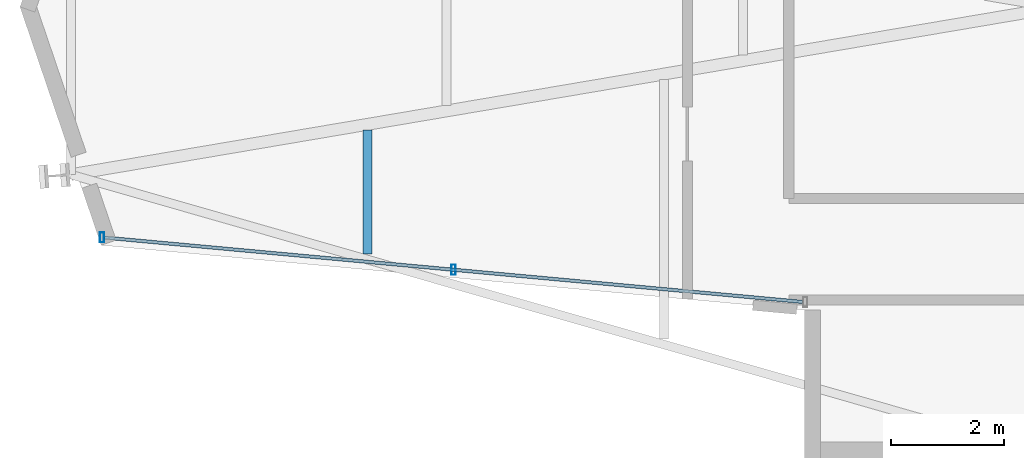
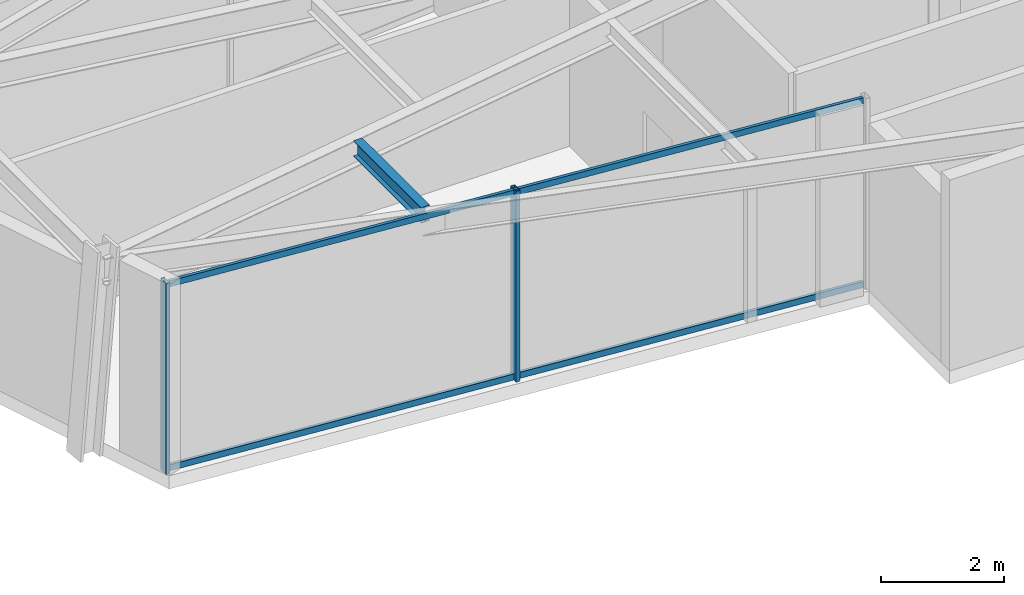
# One storey, part 2 of 21: 4 members, 1 beam, 1 element without a shape of its own.
"""IFC4 building model written with IfcOpenShell, lengths in metres."""

from ifc_helpers import new_model, si_unit, direction, frame, origin, origin_2d, place, context, subcontext, project, spatial, hollow_rectangle, i_section, extrude, material, layer, layer_set, material_profile, profile_set, type_object, element, aggregate, save


model = new_model("IFC4")

# Units and contexts
model_context = context("Model", 3, precision=1e-05, world=origin(), true_north=direction((0.0, 1.0)))
body_context = subcontext(model_context, "Body", "Model", "MODEL_VIEW")
ifc_project = project(units=[si_unit("LENGTHUNIT", "METRE"), si_unit("AREAUNIT", "SQUARE_METRE"), si_unit("VOLUMEUNIT", "CUBIC_METRE"), si_unit("PLANEANGLEUNIT", "RADIAN"), si_unit("MASSUNIT", "GRAM", prefix="KILO")], contexts=[model_context])

# Site, building, storey
site_placement = place(None, origin())
site = spatial("IfcSite", under=ifc_project, at=site_placement, CompositionType="ELEMENT")
building_placement = place(site_placement, origin())
building = spatial("IfcBuilding", under=site, at=building_placement, Name="Veymaron Broadcast Tower", CompositionType="ELEMENT")
storey_placement = place(building_placement, frame((0.0, 0.0, 212.10009765625)))
storey = spatial("IfcBuildingStorey", under=building, at=storey_placement, Name="L49", CompositionType="ELEMENT", Elevation=212.10009765625)

# Beam
ifc_material_1 = material(Name="Structural steel ASTM A992 Gr 50", Category="steel")
ifc_material_profile_1 = material_profile(ifc_material_1, i_section(OverallWidth=0.1650390625, OverallDepth=0.31005859375, WebThickness=0.005859375, FlangeThickness=0.009765625, at=origin_2d()), Name="W310X39")
ifc_profile_set_1 = profile_set([ifc_material_profile_1], Name="Structural steel ASTM A992 Gr 50")
beam_type = type_object("IfcBeamType", Name="BM-JS3", PredefinedType="JOIST", material=ifc_profile_set_1)
beam_placement = place(storey_placement, frame((18.925537109375, 19.617431640625, 3.635009765625), z_axis=(0.0, 1.0, 0.0), x_axis=(-1.0, 0.0, 0.0)))
element("IfcBeam", 1, at=beam_placement, inside=storey, type_object=beam_type, Name="L49 Arm-A secondary joist 1S", PredefinedType="JOIST", context=body_context, shape_type="SweptSolid", body=[
    extrude(i_section(OverallWidth=0.1650390625, OverallDepth=0.31005859375, WebThickness=0.005859375, FlangeThickness=0.009765625, at=origin_2d()), origin(), (0.0, 0.0, 1.0), 2.199951171875),
])

# Curtain wall, members
ifc_material_2 = material(Name="Anodised aluminium AA 6063-T6 and laminated low-E dark glass", Category="aluminium")
ifc_layer = layer(ifc_material_2, 0.179931640625)
ifc_layer_set = layer_set([ifc_layer], Name="Anodised aluminium AA 6063-T6 and laminated low-E dark glass")
curtain_wall_type = type_object("IfcCurtainWallType", Name="CW-SYS-05", PredefinedType="NOTDEFINED", material=ifc_layer_set)
curtain_wall_placement = place(storey_placement, origin())
curtain_wall = element("IfcCurtainWall", 2, at=curtain_wall_placement, inside=storey, type_object=curtain_wall_type, Name="L49 dark-glass curtain wall CW-L49-E14-1", PredefinedType="NOTDEFINED")
ifc_material_3 = material(Name="Anodised aluminium AA 6063-T6", Category="aluminium")
ifc_material_profile_2 = material_profile(ifc_material_3, hollow_rectangle(XDim=0.074951171875, YDim=0.179931640625, WallThickness=0.0048828125, at=origin_2d()), Name="AL180X75X5")
ifc_profile_set_2 = profile_set([ifc_material_profile_2], Name="Anodised aluminium AA 6063-T6")
member_type_1 = type_object("IfcMemberType", Name="CW-MUL-02", PredefinedType="MULLION", material=ifc_profile_set_2)
member_1_placement = place(storey_placement, frame((14.212890625, 19.912353515625, 0.0), z_axis=(0.0, 0.0, 1.0), x_axis=(1.0, 0.0, 0.0)))
member_1 = element("IfcMember", 3, at=member_1_placement, type_object=member_type_1, Name="CW-L49-E14-1 mullion 0", PredefinedType="MULLION", context=body_context, shape_type="SweptSolid", body=[
    extrude(hollow_rectangle(XDim=0.074951171875, YDim=0.179931640625, WallThickness=0.0048828125, at=origin_2d()), origin(), (0.0, 0.0, 1.0), 3.789794921875),
])
member_2_placement = place(storey_placement, frame((20.452880859375, 19.3369140625, 0.0), z_axis=(0.0, 0.0, 1.0), x_axis=(1.0, 0.0, 0.0)))
member_2 = element("IfcMember", 4, at=member_2_placement, type_object=member_type_1, Name="CW-L49-E14-1 mullion 1", PredefinedType="MULLION", context=body_context, shape_type="SweptSolid", body=[
    extrude(hollow_rectangle(XDim=0.074951171875, YDim=0.179931640625, WallThickness=0.0048828125, at=origin_2d()), origin(), (0.0, 0.0, 1.0), 3.789794921875),
])
ifc_material_profile_3 = material_profile(ifc_material_3, hollow_rectangle(XDim=0.06005859375, YDim=0.1201171875, WallThickness=0.00390625, at=origin_2d()), Name="AL120X60X4")
ifc_profile_set_3 = profile_set([ifc_material_profile_3], Name="Anodised aluminium AA 6063-T6")
member_type_2 = type_object("IfcMemberType", Name="CW-TRN-02", PredefinedType="USERDEFINED", material=ifc_profile_set_3)
member_3_placement = place(storey_placement, frame((14.2626953125, 19.90771484375, 0.06982421875), z_axis=(0.995777317913, -0.091801596554, 0.0), x_axis=(0.091801596554, 0.995777317913, 0.0)))
member_3 = element("IfcMember", 5, at=member_3_placement, type_object=member_type_2, Name="CW-L49-E14-1 transom B", ObjectType="TRANSOM", PredefinedType="USERDEFINED", context=body_context, shape_type="SweptSolid", body=[
    extrude(hollow_rectangle(XDim=0.06005859375, YDim=0.1201171875, WallThickness=0.00390625, at=origin_2d()), origin(), (0.0, 0.0, 1.0), 12.432861328125),
])
member_4_placement = place(storey_placement, frame((14.2626953125, 19.90771484375, 3.719970703125), z_axis=(0.995777317913, -0.091801596554, 0.0), x_axis=(0.091801596554, 0.995777317913, 0.0)))
member_4 = element("IfcMember", 6, at=member_4_placement, type_object=member_type_2, Name="CW-L49-E14-1 transom T", ObjectType="TRANSOM", PredefinedType="USERDEFINED", context=body_context, shape_type="SweptSolid", body=[
    extrude(hollow_rectangle(XDim=0.06005859375, YDim=0.1201171875, WallThickness=0.00390625, at=origin_2d()), origin(), (0.0, 0.0, 1.0), 12.432861328125),
])
aggregate(curtain_wall, [member_1, member_2, member_3, member_4])

save(model, "model.ifc")
